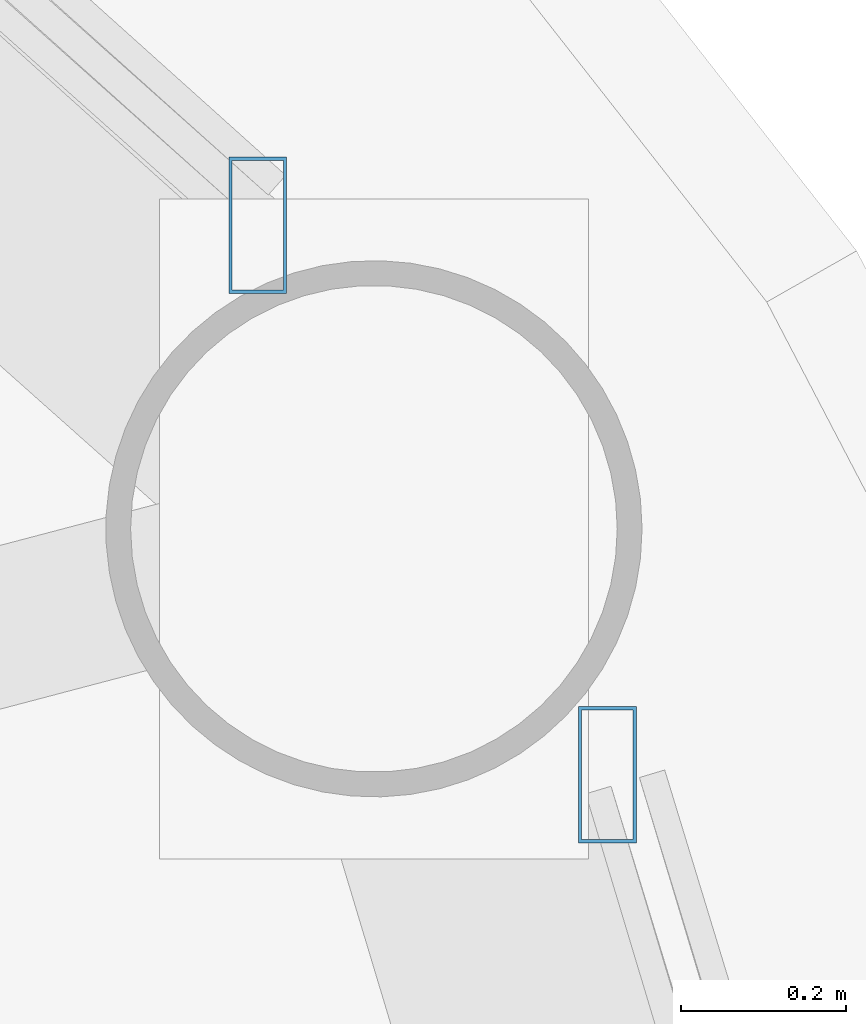
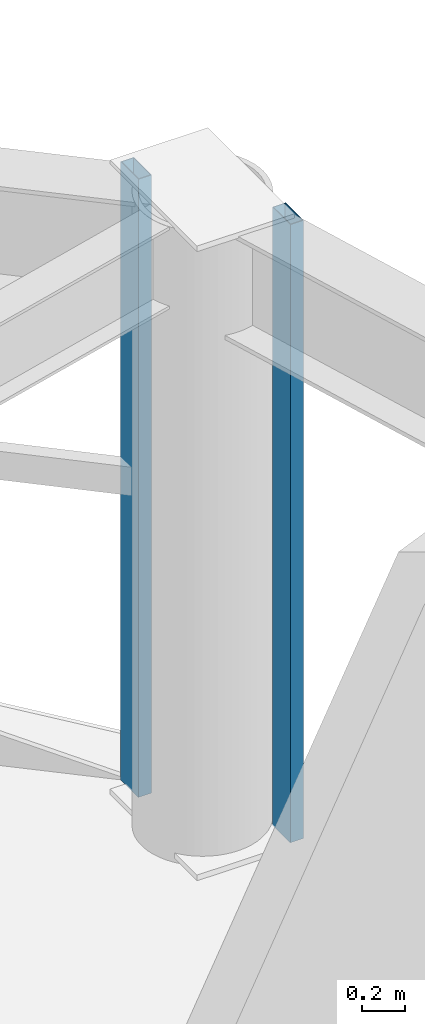
# One storey, part 16 of 30: 2 members, 2 elements without a shape of their own.
"""IFC4 building model written with IfcOpenShell, lengths in metres."""

from ifc_helpers import new_model, si_unit, direction, frame, origin, origin_2d, place, context, subcontext, project, spatial, hollow_rectangle, extrude, material, layer, layer_set, material_profile, profile_set, type_object, element, aggregate, save


model = new_model("IFC4")

# Units and contexts
model_context = context("Model", 3, precision=1e-05, world=origin(), true_north=direction((0.0, 1.0)))
body_context = subcontext(model_context, "Body", "Model", "MODEL_VIEW")
ifc_project = project(units=[si_unit("LENGTHUNIT", "METRE"), si_unit("AREAUNIT", "SQUARE_METRE"), si_unit("VOLUMEUNIT", "CUBIC_METRE"), si_unit("PLANEANGLEUNIT", "RADIAN"), si_unit("MASSUNIT", "GRAM", prefix="KILO")], contexts=[model_context])

# Site, building, storey
site_placement = place(None, origin())
site = spatial("IfcSite", under=ifc_project, at=site_placement, CompositionType="ELEMENT")
building_placement = place(site_placement, origin())
building = spatial("IfcBuilding", under=site, at=building_placement, Name="Vantalir Tower", CompositionType="ELEMENT")
storey_placement = place(building_placement, frame((0.0, 0.0, 186.14990234375)))
storey = spatial("IfcBuildingStorey", under=building, at=storey_placement, Name="L46", CompositionType="ELEMENT", Elevation=186.14990234375)

# Curtain wall, member
ifc_material_1 = material(Name="Champagne-silver PVDF aluminium and double-silver Low-E glass", Category="aluminium")
ifc_layer = layer(ifc_material_1, 0.2099609375)
ifc_layer_set = layer_set([ifc_layer], Name="Champagne-silver PVDF aluminium and double-silver Low-E glass")
curtain_wall_type = type_object("IfcCurtainWallType", Name="CW-DIAMOND-Z3", PredefinedType="USERDEFINED", material=ifc_layer_set)
curtain_wall_1_placement = place(storey_placement, origin())
curtain_wall_1 = element("IfcCurtainWall", 1, at=curtain_wall_1_placement, inside=storey, type_object=curtain_wall_type, Name="L46 Quilted Pyramid-Diamond Curtain Wall S01", ObjectType="UNITISED CURTAIN WALL", PredefinedType="USERDEFINED")
ifc_material_2 = material(Name="Champagne-silver PVDF aluminium 6063-T6", Category="aluminium")
ifc_material_profile = material_profile(ifc_material_2, hollow_rectangle(XDim=0.070068359375, YDim=0.1650390625, WallThickness=0.00390625, at=origin_2d()), Name="Champagne-silver PVDF aluminium 6063-T6")
ifc_profile_set = profile_set([ifc_material_profile], Name="Champagne-silver PVDF aluminium 6063-T6")
member_type = type_object("IfcMemberType", Name="CWM-165x70", PredefinedType="MULLION", material=ifc_profile_set)
member_1_placement = place(storey_placement, frame((51.4208984375, 34.7958984375, 0.045166015625), z_axis=(0.0, 0.0, 1.0), x_axis=(1.0, 0.0, 0.0)))
member_1 = element("IfcMember", 2, at=member_1_placement, type_object=member_type, Name="CW-L46-S01 Mullion 2", PredefinedType="MULLION", context=body_context, shape_type="SweptSolid", body=[
    extrude(hollow_rectangle(XDim=0.070068359375, YDim=0.1650390625, WallThickness=0.00390625, at=origin_2d()), origin(), (0.0, 0.0, 1.0), 3.47998046875),
])
aggregate(curtain_wall_1, [member_1])

curtain_wall_2_placement = place(storey_placement, origin())
curtain_wall_2 = element("IfcCurtainWall", 3, at=curtain_wall_2_placement, inside=storey, type_object=curtain_wall_type, Name="L46 Quilted Pyramid-Diamond Curtain Wall S02", ObjectType="UNITISED CURTAIN WALL", PredefinedType="USERDEFINED")
member_2_placement = place(storey_placement, frame((50.9970703125, 35.4619140625, 0.045166015625), z_axis=(0.0, 0.0, 1.0), x_axis=(1.0, 0.0, 0.0)))
member_2 = element("IfcMember", 4, at=member_2_placement, type_object=member_type, Name="CW-L46-S02 Mullion 1", PredefinedType="MULLION", context=body_context, shape_type="SweptSolid", body=[
    extrude(hollow_rectangle(XDim=0.070068359375, YDim=0.1650390625, WallThickness=0.00390625, at=origin_2d()), origin(), (0.0, 0.0, 1.0), 3.47998046875),
])
aggregate(curtain_wall_2, [member_2])

save(model, "model.ifc")
